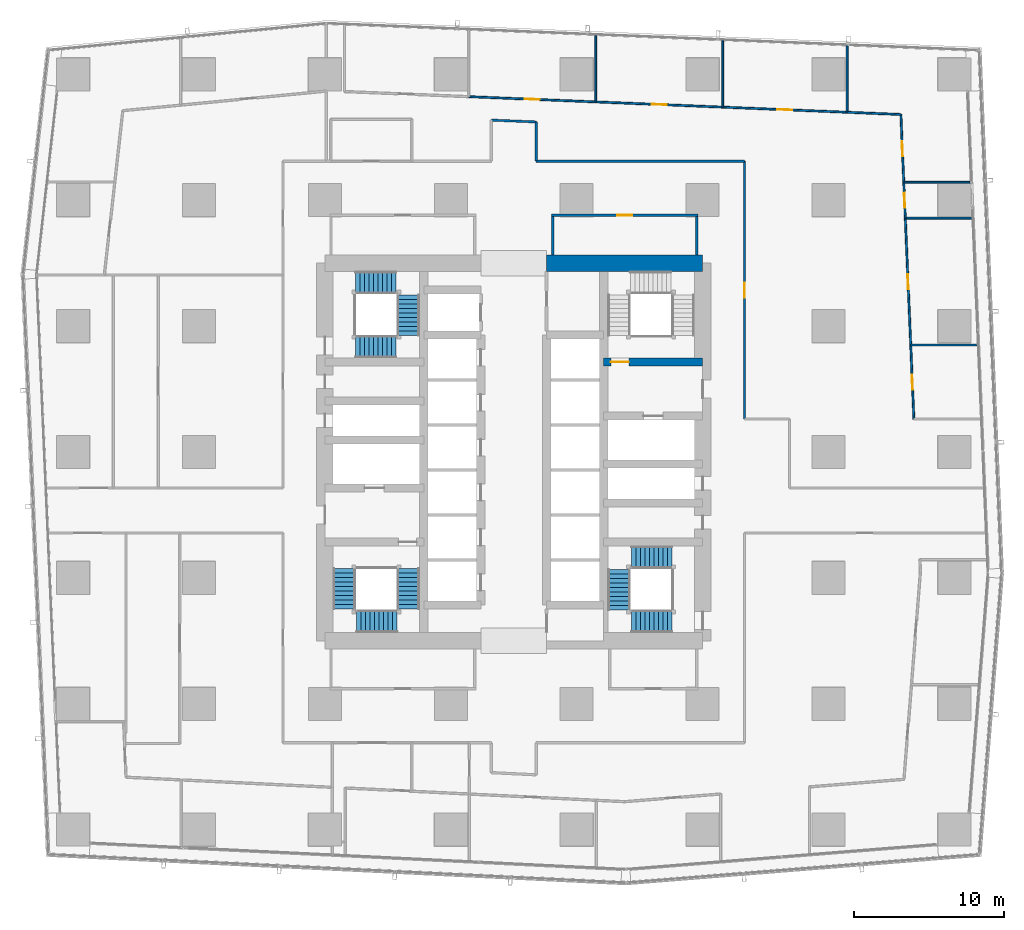
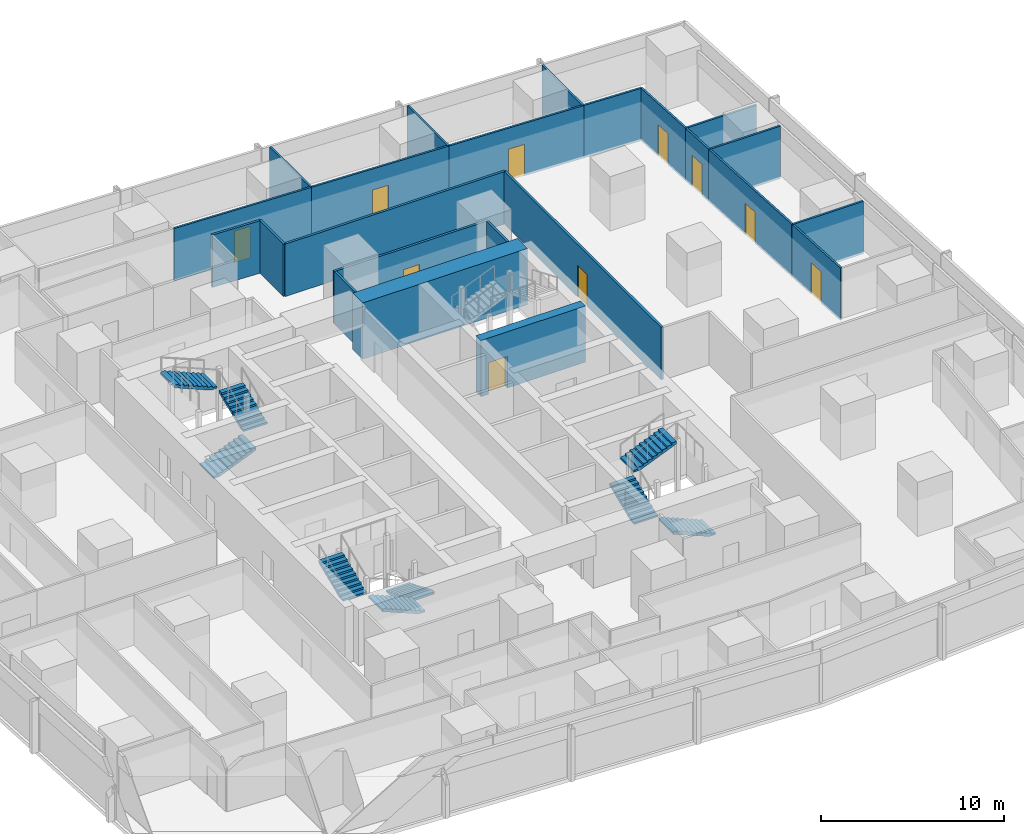
# One storey, part 35 of 45: 23 walls, 10 doors, 9 stair flights, 10 openings, 3 elements without a shape of their own.
"""IFC4 building model written with IfcOpenShell, lengths in metres."""

from ifc_helpers import new_model, si_unit, direction, frame, frame_2d, origin, place, context, subcontext, project, spatial, polyline, rectangle, outline, extrude, material, layer, layer_set, type_object, element, fill, aggregate, save


model = new_model("IFC4")

# Units and contexts
model_context = context("Model", 3, precision=1e-05, world=origin(), true_north=direction((0.0, 1.0)))
body_context = subcontext(model_context, "Body", "Model", "MODEL_VIEW")
ifc_project = project(units=[si_unit("LENGTHUNIT", "METRE"), si_unit("AREAUNIT", "SQUARE_METRE"), si_unit("VOLUMEUNIT", "CUBIC_METRE"), si_unit("PLANEANGLEUNIT", "RADIAN"), si_unit("MASSUNIT", "GRAM", prefix="KILO")], contexts=[model_context])

# Site, building, storey
site_placement = place(None, origin())
site = spatial("IfcSite", under=ifc_project, at=site_placement, CompositionType="ELEMENT")
building_placement = place(site_placement, origin())
building = spatial("IfcBuilding", under=site, at=building_placement, Name="Rekha Terrace Tower", CompositionType="ELEMENT")
storey_placement = place(building_placement, frame((0.0, 0.0, 32.89990234375)))
storey = spatial("IfcBuildingStorey", under=building, at=storey_placement, Name="L07", CompositionType="ELEMENT", Elevation=32.89990234375)

# Wall, opening, door
ifc_material_1 = material(Name="Concrete M70", Category="concrete")
ifc_layer_1 = layer(ifc_material_1, 0.550048828125)
ifc_layer_set_1 = layer_set([ifc_layer_1], Name="Concrete M70")
wall_type_1 = type_object("IfcWallType", Name="CI1 550 core internal shear wall", PredefinedType="SHEAR", material=ifc_layer_set_1)
wall_1_placement = place(storey_placement, frame((43.800048828125, 39.60009765625, 0.0), z_axis=(0.0, 0.0, 1.0), x_axis=(1.0, 0.0, 0.0)))
wall_1 = element("IfcWall", 1, at=wall_1_placement, inside=storey, type_object=wall_type_1, Name="Core wall Y396E L07", PredefinedType="SHEAR", context=body_context, shape_type="SweptSolid", body=[
    extrude(rectangle(XDim=6.599853515625, YDim=0.550048828125, at=frame_2d((3.2998046875, 0.0))), origin(), (0.0, 0.0, 1.0), 3.75),
])
opening_1_placement = place(wall_1_placement, frame((0.47509765625, 0.0, 0.0)))
opening_1 = element("IfcOpeningElement", 2, at=opening_1_placement, cuts=wall_1, Name="Opening D1", PredefinedType="OPENING", context=body_context, shape_type="SweptSolid", body=[
    extrude(rectangle(XDim=1.199951171875, YDim=2.10009765625, at=frame_2d((0.60009765625, 1.050048828125))), frame((0.0, 0.284912109375, 0.0), z_axis=(0.0, -1.0, 0.0), x_axis=(1.0, 0.0, 0.0)), (0.0, 0.0, 1.0), 0.570068359375),
])
ifc_material_2 = material(Name="Steel fire door", Category="steel")
door_type_1 = type_object("IfcDoorType", Name="D1 1200x2100 stair fire door", OperationType="SINGLE_SWING_RIGHT", PredefinedType="DOOR", material=ifc_material_2)
door_1_placement = place(opening_1_placement, origin())
door_1 = element("IfcDoor", 3, at=door_1_placement, inside=storey, type_object=door_type_1, Name="Stair ST2 door L07", OperationType="SINGLE_SWING_RIGHT", OverallHeight=2.10009765625, OverallWidth=1.199951171875, PredefinedType="DOOR", context=body_context, shape_type="SweptSolid", body=[
    extrude(rectangle(XDim=1.199951171875, YDim=2.10009765625, at=frame_2d((0.60009765625, 1.050048828125))), frame((0.0, 0.02490234375, 0.0), z_axis=(0.0, -1.0, 0.0), x_axis=(1.0, 0.0, 0.0)), (0.0, 0.0, 1.0), 0.050048828125),
])
fill(opening_1, door_1)

# Wall
ifc_layer_2 = layer(ifc_material_1, 1.10009765625)
ifc_layer_set_2 = layer_set([ifc_layer_2], Name="Concrete M70")
wall_type_2 = type_object("IfcWallType", Name="SW1 1100 core outer shear wall", PredefinedType="SHEAR", material=ifc_layer_set_2)
wall_2_placement = place(storey_placement, frame((40.0, 46.199951171875, 0.0), z_axis=(0.0, 0.0, 1.0), x_axis=(1.0, 0.0, 0.0)))
element("IfcWall", 4, at=wall_2_placement, inside=storey, type_object=wall_type_2, Name="Core wall N2 L07", PredefinedType="SHEAR", context=body_context, shape_type="SweptSolid", body=[
    extrude(rectangle(XDim=10.39990234375, YDim=1.10009765625, at=frame_2d((5.199951171875, 0.0))), origin(), (0.0, 0.0, 1.0), 3.75),
])

# Wall, opening, door
ifc_material_3 = material(Name="Concrete block masonry, 1 hour", Category="masonry")
ifc_layer_3 = layer(ifc_material_3, 0.14990234375)
ifc_layer_set_3 = layer_set([ifc_layer_3], Name="Concrete block masonry, 1 hour")
wall_type_3 = type_object("IfcWallType", Name="WP2 150 tenancy partition", PredefinedType="PARTITIONING", material=ifc_layer_set_3)
wall_3_placement = place(storey_placement, frame((40.324951171875, 49.39990234375, 0.0), z_axis=(0.0, 0.0, 1.0), x_axis=(1.0, 0.0, 0.0)))
wall_3 = element("IfcWall", 5, at=wall_3_placement, inside=storey, type_object=wall_type_3, Name="Women's WC wall L07", PredefinedType="PARTITIONING", context=body_context, shape_type="SweptSolid", body=[
    extrude(rectangle(XDim=9.75, YDim=0.14990234375, at=frame_2d((4.875, 0.0))), origin(), (0.0, 0.0, 1.0), 3.5),
])
opening_2_placement = place(wall_3_placement, frame((4.375, 0.0, 0.0)))
opening_2 = element("IfcOpeningElement", 6, at=opening_2_placement, cuts=wall_3, Name="Opening D3", PredefinedType="OPENING", context=body_context, shape_type="SweptSolid", body=[
    extrude(rectangle(XDim=1.0, YDim=2.10009765625, at=frame_2d((0.5, 1.050048828125))), frame((0.0, 0.0849609375, 0.0), z_axis=(0.0, -1.0, 0.0), x_axis=(1.0, 0.0, 0.0)), (0.0, 0.0, 1.0), 0.169921875),
])
ifc_material_4 = material(Name="Laminated timber fire door", Category="wood")
door_type_2 = type_object("IfcDoorType", Name="D3 1000x2100 WC door", OperationType="SINGLE_SWING_LEFT", PredefinedType="DOOR", material=ifc_material_4)
door_2_placement = place(opening_2_placement, origin())
door_2 = element("IfcDoor", 7, at=door_2_placement, inside=storey, type_object=door_type_2, Name="Door women's wc L07", OperationType="SINGLE_SWING_LEFT", OverallHeight=2.10009765625, OverallWidth=1.0, PredefinedType="DOOR", context=body_context, shape_type="SweptSolid", body=[
    extrude(rectangle(XDim=1.0, YDim=2.10009765625, at=frame_2d((0.5, 1.050048828125))), frame((0.0, 0.02490234375, 0.0), z_axis=(0.0, -1.0, 0.0), x_axis=(1.0, 0.0, 0.0)), (0.0, 0.0, 1.0), 0.050048828125),
])
fill(opening_2, door_2)

# Walls
for number, where, z_axis, x_axis, name in (
    (8, (40.39990234375, 46.75, 0.0), (0.0, 0.0, 1.0), (0.0, 1.0, 0.0), "Women's WC wall L07"),
    (9, (50.0, 46.75, 0.0), (0.0, 0.0, 1.0), (0.0, 1.0, 0.0), "Women's WC wall L07"),
):
    element("IfcWall", number, at=place(storey_placement, frame(where, z_axis=z_axis, x_axis=x_axis)), inside=storey, type_object=wall_type_3, Name=name, PredefinedType="PARTITIONING", context=body_context, shape_type="SweptSolid", body=[
        extrude(rectangle(XDim=2.574951171875, YDim=0.14990234375, at=frame_2d((1.28759765625, 0.0))), origin(), (0.0, 0.0, 1.0), 3.5),
    ])
wall_4_placement = place(storey_placement, frame((39.300048828125, 55.618896484375, 0.0), z_axis=(0.0, 0.0, 1.0), x_axis=(-0.999146548644, 0.041305863176, 0.0)))
element("IfcWall", 10, at=wall_4_placement, inside=storey, type_object=wall_type_3, Name="Partition L07-O3", PredefinedType="PARTITIONING", context=body_context, shape_type="SweptSolid", body=[
    extrude(rectangle(XDim=3.00244140625, YDim=0.14990234375, at=frame_2d((1.501220703125, 0.0))), origin(), (0.0, 0.0, 1.0), 3.5),
])

# Wall, opening, door
wall_5_placement = place(storey_placement, frame((53.199951171875, 35.800048828125, 0.0), z_axis=(0.0, 0.0, 1.0), x_axis=(0.0, 1.0, 0.0)))
wall_5 = element("IfcWall", 11, at=wall_5_placement, inside=storey, type_object=wall_type_3, Name="Partition L07-O3", PredefinedType="PARTITIONING", context=body_context, shape_type="SweptSolid", body=[
    extrude(rectangle(XDim=17.199951171875, YDim=0.14990234375, at=frame_2d((8.60009765625, 0.0))), origin(), (0.0, 0.0, 1.0), 3.5),
])
opening_3_placement = place(wall_5_placement, frame((8.10009765625, 0.0, 0.0)))
opening_3 = element("IfcOpeningElement", 12, at=opening_3_placement, cuts=wall_5, Name="Opening D9", PredefinedType="OPENING", context=body_context, shape_type="SweptSolid", body=[
    extrude(rectangle(XDim=1.0, YDim=2.10009765625, at=frame_2d((0.5, 1.050048828125))), frame((0.0, 0.0849609375, 0.0), z_axis=(0.0, -1.0, 0.0), x_axis=(1.0, 0.0, 0.0)), (0.0, 0.0, 1.0), 0.169921875),
])
ifc_material_5 = material(Name="Timber fire door", Category="wood")
door_type_3 = type_object("IfcDoorType", Name="D9 1000x2100 office door", OperationType="SINGLE_SWING_LEFT", PredefinedType="DOOR", material=ifc_material_5)
door_3_placement = place(opening_3_placement, origin())
door_3 = element("IfcDoor", 13, at=door_3_placement, inside=storey, type_object=door_type_3, Name="Door open-plan office L07", OperationType="SINGLE_SWING_LEFT", OverallHeight=2.10009765625, OverallWidth=1.0, PredefinedType="DOOR", context=body_context, shape_type="SweptSolid", body=[
    extrude(rectangle(XDim=1.0, YDim=2.10009765625, at=frame_2d((0.5, 1.050048828125))), frame((0.0, 0.02490234375, 0.0), z_axis=(0.0, -1.0, 0.0), x_axis=(1.0, 0.0, 0.0)), (0.0, 0.0, 1.0), 0.050048828125),
])
fill(opening_3, door_3)

# Walls
wall_6_placement = place(storey_placement, frame((53.199951171875, 53.0, 0.0), z_axis=(0.0, 0.0, 1.0), x_axis=(-1.0, 0.0, 0.0)))
element("IfcWall", 14, at=wall_6_placement, inside=storey, type_object=wall_type_3, Name="Partition L07-O3", PredefinedType="PARTITIONING", context=body_context, shape_type="SweptSolid", body=[
    extrude(rectangle(XDim=13.89990234375, YDim=0.14990234375, at=frame_2d((6.949951171875, 0.0))), origin(), (0.0, 0.0, 1.0), 3.5),
])
wall_7_placement = place(storey_placement, frame((39.300048828125, 53.0, 0.0), z_axis=(0.0, 0.0, 1.0), x_axis=(0.0, 1.0, 0.0)))
element("IfcWall", 15, at=wall_7_placement, inside=storey, type_object=wall_type_3, Name="Partition L07-O3", PredefinedType="PARTITIONING", context=body_context, shape_type="SweptSolid", body=[
    extrude(rectangle(XDim=2.618896484375, YDim=0.14990234375, at=frame_2d((1.3095703125, 0.0))), origin(), (0.0, 0.0, 1.0), 3.5),
])

# Wall, opening, door
ifc_material_6 = material(Name="Two layers of fire-rated gypsum board each side on steel studs, acoustic quilt, 1 hour", Category="steel")
ifc_layer_4 = layer(ifc_material_6, 0.125)
ifc_layer_set_4 = layer_set([ifc_layer_4], Name="Two layers of fire-rated gypsum board each side on steel studs, acoustic quilt, 1 hour")
wall_type_4 = type_object("IfcWallType", Name="WP3 125 office partition", PredefinedType="PARTITIONING", material=ifc_layer_set_4)
wall_8_placement = place(storey_placement, frame((64.4951171875, 35.799072265625, 0.0), z_axis=(0.0, 0.0, 1.0), x_axis=(-0.04274455531, 0.999086033829, 0.0)))
wall_8 = element("IfcWall", 16, at=wall_8_placement, inside=storey, type_object=wall_type_4, Name="Partition L07-09", PredefinedType="PARTITIONING", context=body_context, shape_type="SweptSolid", body=[
    extrude(rectangle(XDim=4.9404296875, YDim=0.125, at=frame_2d((2.47021484375, 0.0))), origin(), (0.0, 0.0, 1.0), 3.5),
])
opening_4_placement = place(wall_8_placement, frame((1.969970703125, 0.0, 0.0)))
opening_4 = element("IfcOpeningElement", 17, at=opening_4_placement, cuts=wall_8, Name="Opening D9", PredefinedType="OPENING", context=body_context, shape_type="SweptSolid", body=[
    extrude(rectangle(XDim=1.0, YDim=2.10009765625, at=frame_2d((0.5, 1.050048828125))), frame((0.0, 0.072509765625, 0.0), z_axis=(0.0, -1.0, 0.0), x_axis=(1.0, 0.0, 0.0)), (0.0, 0.0, 1.0), 0.14501953125),
])
door_4_placement = place(opening_4_placement, origin())
door_4 = element("IfcDoor", 18, at=door_4_placement, inside=storey, type_object=door_type_3, Name="Door office L07", OperationType="SINGLE_SWING_LEFT", OverallHeight=2.10009765625, OverallWidth=1.0, PredefinedType="DOOR", context=body_context, shape_type="SweptSolid", body=[
    extrude(rectangle(XDim=1.0, YDim=2.10009765625, at=frame_2d((0.5, 1.050048828125))), frame((0.0, 0.02490234375, 0.0), z_axis=(0.0, -1.0, 0.0), x_axis=(1.0, 0.0, 0.0)), (0.0, 0.0, 1.0), 0.050048828125),
])
fill(opening_4, door_4)

# Wall
wall_9_placement = place(storey_placement, frame((64.283935546875, 40.735107421875, 0.0), z_axis=(0.0, 0.0, 1.0), x_axis=(1.0, 0.0, 0.0)))
element("IfcWall", 19, at=wall_9_placement, inside=storey, type_object=wall_type_4, Name="Partition L07-09", PredefinedType="PARTITIONING", context=body_context, shape_type="SweptSolid", body=[
    extrude(rectangle(XDim=4.424072265625, YDim=0.125, at=frame_2d((2.2119140625, 0.0))), origin(), (0.0, 0.0, 1.0), 3.5),
])

# Wall, opening, door
wall_10_placement = place(storey_placement, frame((64.283935546875, 40.736083984375, 0.0), z_axis=(0.0, 0.0, 1.0), x_axis=(-0.04269951426, 0.999087959832, 0.0)))
wall_10 = element("IfcWall", 20, at=wall_10_placement, inside=storey, type_object=wall_type_4, Name="Partition L07-10", PredefinedType="PARTITIONING", context=body_context, shape_type="SweptSolid", body=[
    extrude(rectangle(XDim=8.4736328125, YDim=0.125, at=frame_2d((4.23681640625, 0.0))), origin(), (0.0, 0.0, 1.0), 3.5),
])
opening_5_placement = place(wall_10_placement, frame((3.737060546875, 0.0, 0.0)))
opening_5 = element("IfcOpeningElement", 21, at=opening_5_placement, cuts=wall_10, Name="Opening D9", PredefinedType="OPENING", context=body_context, shape_type="SweptSolid", body=[
    extrude(rectangle(XDim=1.0, YDim=2.10009765625, at=frame_2d((0.5, 1.050048828125))), frame((0.0, 0.072509765625, 0.0), z_axis=(0.0, -1.0, 0.0), x_axis=(1.0, 0.0, 0.0)), (0.0, 0.0, 1.0), 0.14501953125),
])
door_5_placement = place(opening_5_placement, origin())
door_5 = element("IfcDoor", 22, at=door_5_placement, inside=storey, type_object=door_type_3, Name="Door office L07", OperationType="SINGLE_SWING_LEFT", OverallHeight=2.10009765625, OverallWidth=1.0, PredefinedType="DOOR", context=body_context, shape_type="SweptSolid", body=[
    extrude(rectangle(XDim=1.0, YDim=2.10009765625, at=frame_2d((0.5, 1.050048828125))), frame((0.0, 0.02490234375, 0.0), z_axis=(0.0, -1.0, 0.0), x_axis=(1.0, 0.0, 0.0)), (0.0, 0.0, 1.0), 0.050048828125),
])
fill(opening_5, door_5)

# Wall
wall_11_placement = place(storey_placement, frame((63.922119140625, 49.201904296875, 0.0), z_axis=(0.0, 0.0, 1.0), x_axis=(1.0, 0.0, 0.0)))
element("IfcWall", 23, at=wall_11_placement, inside=storey, type_object=wall_type_4, Name="Partition L07-10", PredefinedType="PARTITIONING", context=body_context, shape_type="SweptSolid", body=[
    extrude(rectangle(XDim=4.453857421875, YDim=0.125, at=frame_2d((2.22705078125, 0.0))), origin(), (0.0, 0.0, 1.0), 3.5),
])

# Wall, opening, door
wall_12_placement = place(storey_placement, frame((63.922119140625, 49.202880859375, 0.0), z_axis=(0.0, 0.0, 1.0), x_axis=(-0.042501507067, 0.999096402704, 0.0)))
wall_12 = element("IfcWall", 24, at=wall_12_placement, inside=storey, type_object=wall_type_4, Name="Partition L07-11", PredefinedType="PARTITIONING", context=body_context, shape_type="SweptSolid", body=[
    extrude(rectangle(XDim=2.355224609375, YDim=0.125, at=frame_2d((1.177734375, 0.0))), origin(), (0.0, 0.0, 1.0), 3.5),
])
opening_6_placement = place(wall_12_placement, frame((0.677978515625, 0.0, 0.0)))
opening_6 = element("IfcOpeningElement", 25, at=opening_6_placement, cuts=wall_12, Name="Opening D9", PredefinedType="OPENING", context=body_context, shape_type="SweptSolid", body=[
    extrude(rectangle(XDim=1.0, YDim=2.10009765625, at=frame_2d((0.5, 1.050048828125))), frame((0.0, 0.072509765625, 0.0), z_axis=(0.0, -1.0, 0.0), x_axis=(1.0, 0.0, 0.0)), (0.0, 0.0, 1.0), 0.14501953125),
])
door_6_placement = place(opening_6_placement, origin())
door_6 = element("IfcDoor", 26, at=door_6_placement, inside=storey, type_object=door_type_3, Name="Door office L07", OperationType="SINGLE_SWING_LEFT", OverallHeight=2.10009765625, OverallWidth=1.0, PredefinedType="DOOR", context=body_context, shape_type="SweptSolid", body=[
    extrude(rectangle(XDim=1.0, YDim=2.10009765625, at=frame_2d((0.5, 1.050048828125))), frame((0.0, 0.02490234375, 0.0), z_axis=(0.0, -1.0, 0.0), x_axis=(1.0, 0.0, 0.0)), (0.0, 0.0, 1.0), 0.050048828125),
])
fill(opening_6, door_6)

# Wall
wall_13_placement = place(storey_placement, frame((63.883056640625, 51.593017578125, 0.0), z_axis=(0.0, 0.0, 1.0), x_axis=(1.0, 0.0, 0.0)))
element("IfcWall", 27, at=wall_13_placement, inside=storey, type_object=wall_type_4, Name="Partition L07-11", PredefinedType="PARTITIONING", context=body_context, shape_type="SweptSolid", body=[
    extrude(rectangle(XDim=4.36083984375, YDim=0.125, at=frame_2d((2.180419921875, 0.0))), origin(), (0.0, 0.0, 1.0), 3.5),
])

# Wall, opening, door
wall_14_placement = place(storey_placement, frame((63.822021484375, 51.556884765625, 0.0), z_axis=(0.0, 0.0, 1.0), x_axis=(-0.042738513094, 0.999086292318, 0.0)))
wall_14 = element("IfcWall", 28, at=wall_14_placement, inside=storey, type_object=wall_type_4, Name="Partition L07-12", PredefinedType="PARTITIONING", context=body_context, shape_type="SweptSolid", body=[
    extrude(rectangle(XDim=4.564208984375, YDim=0.125, at=frame_2d((2.2822265625, 0.0))), origin(), (0.0, 0.0, 1.0), 3.5),
])
opening_7_placement = place(wall_14_placement, frame((1.781982421875, 0.0, 0.0)))
opening_7 = element("IfcOpeningElement", 29, at=opening_7_placement, cuts=wall_14, Name="Opening D9", PredefinedType="OPENING", context=body_context, shape_type="SweptSolid", body=[
    extrude(rectangle(XDim=1.0, YDim=2.10009765625, at=frame_2d((0.5, 1.050048828125))), frame((0.0, 0.072509765625, 0.0), z_axis=(0.0, -1.0, 0.0), x_axis=(1.0, 0.0, 0.0)), (0.0, 0.0, 1.0), 0.14501953125),
])
door_7_placement = place(opening_7_placement, origin())
door_7 = element("IfcDoor", 30, at=door_7_placement, inside=storey, type_object=door_type_3, Name="Door manager's office L07", OperationType="SINGLE_SWING_LEFT", OverallHeight=2.10009765625, OverallWidth=1.0, PredefinedType="DOOR", context=body_context, shape_type="SweptSolid", body=[
    extrude(rectangle(XDim=1.0, YDim=2.10009765625, at=frame_2d((0.5, 1.050048828125))), frame((0.0, 0.02490234375, 0.0), z_axis=(0.0, -1.0, 0.0), x_axis=(1.0, 0.0, 0.0)), (0.0, 0.0, 1.0), 0.050048828125),
])
fill(opening_7, door_7)

# Walls
wall_15_placement = place(storey_placement, frame((63.626953125, 56.116943359375, 0.0), z_axis=(0.0, 0.0, 1.0), x_axis=(-0.999150890799, 0.041200696776, 0.0)))
element("IfcWall", 31, at=wall_15_placement, inside=storey, type_object=wall_type_4, Name="Partition L07-12", PredefinedType="PARTITIONING", context=body_context, shape_type="SweptSolid", body=[
    extrude(rectangle(XDim=3.5908203125, YDim=0.125, at=frame_2d((1.79541015625, 0.0))), origin(), (0.0, 0.0, 1.0), 3.5),
])
wall_16_placement = place(storey_placement, frame((60.0390625, 56.264892578125, 0.0), z_axis=(0.0, 0.0, 1.0), x_axis=(0.0, 1.0, 0.0)))
element("IfcWall", 32, at=wall_16_placement, inside=storey, type_object=wall_type_4, Name="Partition L07-12", PredefinedType="PARTITIONING", context=body_context, shape_type="SweptSolid", body=[
    extrude(rectangle(XDim=4.424072265625, YDim=0.125, at=frame_2d((2.2119140625, 0.0))), origin(), (0.0, 0.0, 1.0), 3.5),
])

# Wall, opening, door
wall_17_placement = place(storey_placement, frame((60.0380859375, 56.264892578125, 0.0), z_axis=(0.0, 0.0, 1.0), x_axis=(-0.999150321127, 0.041214509478, 0.0)))
wall_17 = element("IfcWall", 33, at=wall_17_placement, inside=storey, type_object=wall_type_4, Name="Partition L07-13", PredefinedType="PARTITIONING", context=body_context, shape_type="SweptSolid", body=[
    extrude(rectangle(XDim=8.299072265625, YDim=0.125, at=frame_2d((4.1494140625, 0.0))), origin(), (0.0, 0.0, 1.0), 3.5),
])
opening_8_placement = place(wall_17_placement, frame((3.64990234375, 0.0, 0.0)))
opening_8 = element("IfcOpeningElement", 34, at=opening_8_placement, cuts=wall_17, Name="Opening D9", PredefinedType="OPENING", context=body_context, shape_type="SweptSolid", body=[
    extrude(rectangle(XDim=1.0, YDim=2.10009765625, at=frame_2d((0.5, 1.050048828125))), frame((0.0, 0.072509765625, 0.0), z_axis=(0.0, -1.0, 0.0), x_axis=(1.0, 0.0, 0.0)), (0.0, 0.0, 1.0), 0.14501953125),
])
door_8_placement = place(opening_8_placement, origin())
door_8 = element("IfcDoor", 35, at=door_8_placement, inside=storey, type_object=door_type_3, Name="Door office L07", OperationType="SINGLE_SWING_LEFT", OverallHeight=2.10009765625, OverallWidth=1.0, PredefinedType="DOOR", context=body_context, shape_type="SweptSolid", body=[
    extrude(rectangle(XDim=1.0, YDim=2.10009765625, at=frame_2d((0.5, 1.050048828125))), frame((0.0, 0.02490234375, 0.0), z_axis=(0.0, -1.0, 0.0), x_axis=(1.0, 0.0, 0.0)), (0.0, 0.0, 1.0), 0.050048828125),
])
fill(opening_8, door_8)

# Wall
wall_18_placement = place(storey_placement, frame((51.74609375, 56.60693359375, 0.0), z_axis=(0.0, 0.0, 1.0), x_axis=(0.0, 1.0, 0.0)))
element("IfcWall", 36, at=wall_18_placement, inside=storey, type_object=wall_type_4, Name="Partition L07-13", PredefinedType="PARTITIONING", context=body_context, shape_type="SweptSolid", body=[
    extrude(rectangle(XDim=4.424072265625, YDim=0.125, at=frame_2d((2.2119140625, 0.0))), origin(), (0.0, 0.0, 1.0), 3.5),
])

# Wall, opening, door
wall_19_placement = place(storey_placement, frame((51.7451171875, 56.60693359375, 0.0), z_axis=(0.0, 0.0, 1.0), x_axis=(-0.999152030187, 0.041173056399, 0.0)))
wall_19 = element("IfcWall", 37, at=wall_19_placement, inside=storey, type_object=wall_type_4, Name="Partition L07-14", PredefinedType="PARTITIONING", context=body_context, shape_type="SweptSolid", body=[
    extrude(rectangle(XDim=8.479248046875, YDim=0.125, at=frame_2d((4.23974609375, 0.0))), origin(), (0.0, 0.0, 1.0), 3.5),
])
opening_9_placement = place(wall_19_placement, frame((3.739990234375, 0.0, 0.0)))
opening_9 = element("IfcOpeningElement", 38, at=opening_9_placement, cuts=wall_19, Name="Opening D9", PredefinedType="OPENING", context=body_context, shape_type="SweptSolid", body=[
    extrude(rectangle(XDim=1.0, YDim=2.10009765625, at=frame_2d((0.5, 1.050048828125))), frame((0.0, 0.072509765625, 0.0), z_axis=(0.0, -1.0, 0.0), x_axis=(1.0, 0.0, 0.0)), (0.0, 0.0, 1.0), 0.14501953125),
])
door_9_placement = place(opening_9_placement, origin())
door_9 = element("IfcDoor", 39, at=door_9_placement, inside=storey, type_object=door_type_3, Name="Door office L07", OperationType="SINGLE_SWING_LEFT", OverallHeight=2.10009765625, OverallWidth=1.0, PredefinedType="DOOR", context=body_context, shape_type="SweptSolid", body=[
    extrude(rectangle(XDim=1.0, YDim=2.10009765625, at=frame_2d((0.5, 1.050048828125))), frame((0.0, 0.02490234375, 0.0), z_axis=(0.0, -1.0, 0.0), x_axis=(1.0, 0.0, 0.0)), (0.0, 0.0, 1.0), 0.050048828125),
])
fill(opening_9, door_9)

# Wall
wall_20_placement = place(storey_placement, frame((43.27294921875, 56.9560546875, 0.0), z_axis=(0.0, 0.0, 1.0), x_axis=(0.0, 1.0, 0.0)))
element("IfcWall", 40, at=wall_20_placement, inside=storey, type_object=wall_type_4, Name="Partition L07-14", PredefinedType="PARTITIONING", context=body_context, shape_type="SweptSolid", body=[
    extrude(rectangle(XDim=4.423828125, YDim=0.125, at=frame_2d((2.2119140625, 0.0))), origin(), (0.0, 0.0, 1.0), 3.5),
])

# Wall, opening, door
wall_21_placement = place(storey_placement, frame((43.27197265625, 56.9560546875, 0.0), z_axis=(0.0, 0.0, 1.0), x_axis=(-0.999148227965, 0.041265222085, 0.0)))
wall_21 = element("IfcWall", 41, at=wall_21_placement, inside=storey, type_object=wall_type_4, Name="Partition L07-15", PredefinedType="PARTITIONING", context=body_context, shape_type="SweptSolid", body=[
    extrude(rectangle(XDim=8.478271484375, YDim=0.125, at=frame_2d((4.2392578125, 0.0))), origin(), (0.0, 0.0, 1.0), 3.5),
])
opening_10_placement = place(wall_21_placement, frame((3.739013671875, 0.0, 0.0)))
opening_10 = element("IfcOpeningElement", 42, at=opening_10_placement, cuts=wall_21, Name="Opening D9", PredefinedType="OPENING", context=body_context, shape_type="SweptSolid", body=[
    extrude(rectangle(XDim=1.0, YDim=2.10009765625, at=frame_2d((0.5, 1.050048828125))), frame((0.0, 0.072509765625, 0.0), z_axis=(0.0, -1.0, 0.0), x_axis=(1.0, 0.0, 0.0)), (0.0, 0.0, 1.0), 0.14501953125),
])
door_10_placement = place(opening_10_placement, origin())
door_10 = element("IfcDoor", 43, at=door_10_placement, inside=storey, type_object=door_type_3, Name="Door office L07", OperationType="SINGLE_SWING_LEFT", OverallHeight=2.10009765625, OverallWidth=1.0, PredefinedType="DOOR", context=body_context, shape_type="SweptSolid", body=[
    extrude(rectangle(XDim=1.0, YDim=2.10009765625, at=frame_2d((0.5, 1.050048828125))), frame((0.0, 0.02490234375, 0.0), z_axis=(0.0, -1.0, 0.0), x_axis=(1.0, 0.0, 0.0)), (0.0, 0.0, 1.0), 0.050048828125),
])
fill(opening_10, door_10)

# Stair, stair flights
ifc_material_7 = material(Name="Concrete M40", Category="concrete")
stair_type = type_object("IfcStairType", Name="ST30 stair, 30 risers of 125, going 300, 1500 wide flights, 3 flights", PredefinedType="HALF_TURN_STAIR", material=ifc_material_7)
stair_1_placement = place(storey_placement, origin())
stair_1 = element("IfcStair", 44, at=stair_1_placement, inside=storey, type_object=stair_type, Name="Stair ST1 L07 to L08", PredefinedType="HALF_TURN_STAIR")
stair_flight_type = type_object("IfcStairFlightType", Name="SF10 stair flight, 10 risers of 125, going 300, 1500 wide", PredefinedType="STRAIGHT", material=ifc_material_7)
stair_flight_1_placement = place(storey_placement, frame((30.77490234375, 25.824951171875, 0.0), z_axis=(0.0, 0.0, 1.0), x_axis=(0.0, -1.0, 0.0)))
stair_flight_1 = element("IfcStairFlight", 45, at=stair_flight_1_placement, type_object=stair_flight_type, Name="ST1 flight 1", NumberOfRisers=10, NumberOfTreads=9, PredefinedType="STRAIGHT", RiserHeight=0.125, TreadLength=0.3, context=body_context, shape_type="SweptSolid", body=[
    extrude(outline(polyline([(0.0, 0.0), (0.0, 0.125), (0.300048828125, 0.125), (0.300048828125, 0.25), (0.60009765625, 0.25), (0.60009765625, 0.375), (0.89990234375, 0.375), (0.89990234375, 0.5), (1.199951171875, 0.5), (1.199951171875, 0.625), (1.5, 0.625), (1.5, 0.75), (1.800048828125, 0.75), (1.800048828125, 0.875), (2.10009765625, 0.875), (2.10009765625, 1.0), (2.39990234375, 1.0), (2.39990234375, 1.125), (2.699951171875, 1.125), (2.699951171875, 1.25), (2.699951171875, 0.962646484375), (0.3896484375, 0.0), (0.0, 0.0)])), frame((0.0, 0.75, 0.0), z_axis=(0.0, -1.0, 0.0), x_axis=(1.0, 0.0, 0.0)), (0.0, 0.0, 1.0), 1.5),
])
stair_flight_2_placement = place(storey_placement, frame((30.02490234375, 22.300048828125, 1.25), z_axis=(0.0, 0.0, 1.0), x_axis=(-1.0, 0.0, 0.0)))
stair_flight_2 = element("IfcStairFlight", 46, at=stair_flight_2_placement, type_object=stair_flight_type, Name="ST1 flight 2", NumberOfRisers=10, NumberOfTreads=9, PredefinedType="STRAIGHT", RiserHeight=0.125, TreadLength=0.3, context=body_context, shape_type="SweptSolid", body=[
    extrude(outline(polyline([(0.0, 0.0), (0.0, 0.125), (0.300048828125, 0.125), (0.300048828125, 0.25), (0.60009765625, 0.25), (0.60009765625, 0.375), (0.89990234375, 0.375), (0.89990234375, 0.5), (1.199951171875, 0.5), (1.199951171875, 0.625), (1.5, 0.625), (1.5, 0.75), (1.800048828125, 0.75), (1.800048828125, 0.875), (2.10009765625, 0.875), (2.10009765625, 1.0), (2.39990234375, 1.0), (2.39990234375, 1.125), (2.699951171875, 1.125), (2.699951171875, 1.25), (2.699951171875, 0.962646484375), (0.3896484375, 0.0), (0.0, 0.0)])), frame((0.0, 0.75, 0.0), z_axis=(0.0, -1.0, 0.0), x_axis=(1.0, 0.0, 0.0)), (0.0, 0.0, 1.0), 1.5),
])
stair_flight_3_placement = place(storey_placement, frame((26.5, 23.125, 2.5), z_axis=(0.0, 0.0, 1.0), x_axis=(0.0, 1.0, 0.0)))
stair_flight_3 = element("IfcStairFlight", 47, at=stair_flight_3_placement, type_object=stair_flight_type, Name="ST1 flight 3", NumberOfRisers=10, NumberOfTreads=9, PredefinedType="STRAIGHT", RiserHeight=0.125, TreadLength=0.3, context=body_context, shape_type="SweptSolid", body=[
    extrude(outline(polyline([(0.0, 0.0), (0.0, 0.125), (0.300048828125, 0.125), (0.300048828125, 0.25), (0.60009765625, 0.25), (0.60009765625, 0.375), (0.89990234375, 0.375), (0.89990234375, 0.5), (1.199951171875, 0.5), (1.199951171875, 0.625), (1.5, 0.625), (1.5, 0.75), (1.800048828125, 0.75), (1.800048828125, 0.875), (2.10009765625, 0.875), (2.10009765625, 1.0), (2.39990234375, 1.0), (2.39990234375, 1.125), (2.699951171875, 1.125), (2.699951171875, 1.25), (2.699951171875, 0.962646484375), (0.3896484375, 0.0), (0.0, 0.0)])), frame((0.0, 0.75, 0.0), z_axis=(0.0, -1.0, 0.0), x_axis=(1.0, 0.0, 0.0)), (0.0, 0.0, 1.0), 1.5),
])
aggregate(stair_1, [stair_flight_1, stair_flight_2, stair_flight_3])

stair_2_placement = place(storey_placement, origin())
stair_2 = element("IfcStair", 48, at=stair_2_placement, inside=storey, type_object=stair_type, Name="Stair ST3 L07 to L08", PredefinedType="HALF_TURN_STAIR")
stair_flight_4_placement = place(storey_placement, frame((48.35009765625, 22.300048828125, 0.0), z_axis=(0.0, 0.0, 1.0), x_axis=(-1.0, 0.0, 0.0)))
stair_flight_4 = element("IfcStairFlight", 49, at=stair_flight_4_placement, type_object=stair_flight_type, Name="ST3 flight 1", NumberOfRisers=10, NumberOfTreads=9, PredefinedType="STRAIGHT", RiserHeight=0.125, TreadLength=0.3, context=body_context, shape_type="SweptSolid", body=[
    extrude(outline(polyline([(0.0, 0.0), (0.0, 0.125), (0.300048828125, 0.125), (0.300048828125, 0.25), (0.60009765625, 0.25), (0.60009765625, 0.375), (0.89990234375, 0.375), (0.89990234375, 0.5), (1.199951171875, 0.5), (1.199951171875, 0.625), (1.5, 0.625), (1.5, 0.75), (1.800048828125, 0.75), (1.800048828125, 0.875), (2.10009765625, 0.875), (2.10009765625, 1.0), (2.39990234375, 1.0), (2.39990234375, 1.125), (2.699951171875, 1.125), (2.699951171875, 1.25), (2.699951171875, 0.962646484375), (0.3896484375, 0.0), (0.0, 0.0)])), frame((0.0, 0.75, 0.0), z_axis=(0.0, -1.0, 0.0), x_axis=(1.0, 0.0, 0.0)), (0.0, 0.0, 1.0), 1.5),
])
stair_flight_5_placement = place(storey_placement, frame((44.824951171875, 23.050048828125, 1.25), z_axis=(0.0, 0.0, 1.0), x_axis=(0.0, 1.0, 0.0)))
stair_flight_5 = element("IfcStairFlight", 50, at=stair_flight_5_placement, type_object=stair_flight_type, Name="ST3 flight 2", NumberOfRisers=10, NumberOfTreads=9, PredefinedType="STRAIGHT", RiserHeight=0.125, TreadLength=0.3, context=body_context, shape_type="SweptSolid", body=[
    extrude(outline(polyline([(0.0, 0.0), (0.0, 0.125), (0.300048828125, 0.125), (0.300048828125, 0.25), (0.60009765625, 0.25), (0.60009765625, 0.375), (0.89990234375, 0.375), (0.89990234375, 0.5), (1.199951171875, 0.5), (1.199951171875, 0.625), (1.5, 0.625), (1.5, 0.75), (1.800048828125, 0.75), (1.800048828125, 0.875), (2.10009765625, 0.875), (2.10009765625, 1.0), (2.39990234375, 1.0), (2.39990234375, 1.125), (2.699951171875, 1.125), (2.699951171875, 1.25), (2.699951171875, 0.962646484375), (0.3896484375, 0.0), (0.0, 0.0)])), frame((0.0, 0.75, 0.0), z_axis=(0.0, -1.0, 0.0), x_axis=(1.0, 0.0, 0.0)), (0.0, 0.0, 1.0), 1.5),
])
stair_flight_6_placement = place(storey_placement, frame((45.64990234375, 26.574951171875, 2.5), z_axis=(0.0, 0.0, 1.0), x_axis=(1.0, 0.0, 0.0)))
stair_flight_6 = element("IfcStairFlight", 51, at=stair_flight_6_placement, type_object=stair_flight_type, Name="ST3 flight 3", NumberOfRisers=10, NumberOfTreads=9, PredefinedType="STRAIGHT", RiserHeight=0.125, TreadLength=0.3, context=body_context, shape_type="SweptSolid", body=[
    extrude(outline(polyline([(0.0, 0.0), (0.0, 0.125), (0.300048828125, 0.125), (0.300048828125, 0.25), (0.60009765625, 0.25), (0.60009765625, 0.375), (0.89990234375, 0.375), (0.89990234375, 0.5), (1.199951171875, 0.5), (1.199951171875, 0.625), (1.5, 0.625), (1.5, 0.75), (1.800048828125, 0.75), (1.800048828125, 0.875), (2.10009765625, 0.875), (2.10009765625, 1.0), (2.39990234375, 1.0), (2.39990234375, 1.125), (2.699951171875, 1.125), (2.699951171875, 1.25), (2.699951171875, 0.962646484375), (0.3896484375, 0.0), (0.0, 0.0)])), frame((0.0, 0.75, 0.0), z_axis=(0.0, -1.0, 0.0), x_axis=(1.0, 0.0, 0.0)), (0.0, 0.0, 1.0), 1.5),
])
aggregate(stair_2, [stair_flight_4, stair_flight_5, stair_flight_6])

stair_3_placement = place(storey_placement, origin())
stair_3 = element("IfcStair", 52, at=stair_3_placement, inside=storey, type_object=stair_type, Name="Stair ST4 L07 to L08", PredefinedType="HALF_TURN_STAIR")
stair_flight_7_placement = place(storey_placement, frame((27.25, 40.625, 0.0), z_axis=(0.0, 0.0, 1.0), x_axis=(1.0, 0.0, 0.0)))
stair_flight_7 = element("IfcStairFlight", 53, at=stair_flight_7_placement, type_object=stair_flight_type, Name="ST4 flight 1", NumberOfRisers=10, NumberOfTreads=9, PredefinedType="STRAIGHT", RiserHeight=0.125, TreadLength=0.3, context=body_context, shape_type="SweptSolid", body=[
    extrude(outline(polyline([(0.0, 0.0), (0.0, 0.125), (0.300048828125, 0.125), (0.300048828125, 0.25), (0.60009765625, 0.25), (0.60009765625, 0.375), (0.89990234375, 0.375), (0.89990234375, 0.5), (1.199951171875, 0.5), (1.199951171875, 0.625), (1.5, 0.625), (1.5, 0.75), (1.800048828125, 0.75), (1.800048828125, 0.875), (2.10009765625, 0.875), (2.10009765625, 1.0), (2.39990234375, 1.0), (2.39990234375, 1.125), (2.699951171875, 1.125), (2.699951171875, 1.25), (2.699951171875, 0.962646484375), (0.3896484375, 0.0), (0.0, 0.0)])), frame((0.0, 0.75, 0.0), z_axis=(0.0, -1.0, 0.0), x_axis=(1.0, 0.0, 0.0)), (0.0, 0.0, 1.0), 1.5),
])
stair_flight_8_placement = place(storey_placement, frame((30.77490234375, 41.375, 1.25), z_axis=(0.0, 0.0, 1.0), x_axis=(0.0, 1.0, 0.0)))
stair_flight_8 = element("IfcStairFlight", 54, at=stair_flight_8_placement, type_object=stair_flight_type, Name="ST4 flight 2", NumberOfRisers=10, NumberOfTreads=9, PredefinedType="STRAIGHT", RiserHeight=0.125, TreadLength=0.3, context=body_context, shape_type="SweptSolid", body=[
    extrude(outline(polyline([(0.0, 0.0), (0.0, 0.125), (0.300048828125, 0.125), (0.300048828125, 0.25), (0.60009765625, 0.25), (0.60009765625, 0.375), (0.89990234375, 0.375), (0.89990234375, 0.5), (1.199951171875, 0.5), (1.199951171875, 0.625), (1.5, 0.625), (1.5, 0.75), (1.800048828125, 0.75), (1.800048828125, 0.875), (2.10009765625, 0.875), (2.10009765625, 1.0), (2.39990234375, 1.0), (2.39990234375, 1.125), (2.699951171875, 1.125), (2.699951171875, 1.25), (2.699951171875, 0.962646484375), (0.3896484375, 0.0), (0.0, 0.0)])), frame((0.0, 0.75, 0.0), z_axis=(0.0, -1.0, 0.0), x_axis=(1.0, 0.0, 0.0)), (0.0, 0.0, 1.0), 1.5),
])
stair_flight_9_placement = place(storey_placement, frame((29.949951171875, 44.89990234375, 2.5), z_axis=(0.0, 0.0, 1.0), x_axis=(-1.0, 0.0, 0.0)))
stair_flight_9 = element("IfcStairFlight", 55, at=stair_flight_9_placement, type_object=stair_flight_type, Name="ST4 flight 3", NumberOfRisers=10, NumberOfTreads=9, PredefinedType="STRAIGHT", RiserHeight=0.125, TreadLength=0.3, context=body_context, shape_type="SweptSolid", body=[
    extrude(outline(polyline([(0.0, 0.0), (0.0, 0.125), (0.300048828125, 0.125), (0.300048828125, 0.25), (0.60009765625, 0.25), (0.60009765625, 0.375), (0.89990234375, 0.375), (0.89990234375, 0.5), (1.199951171875, 0.5), (1.199951171875, 0.625), (1.5, 0.625), (1.5, 0.75), (1.800048828125, 0.75), (1.800048828125, 0.875), (2.10009765625, 0.875), (2.10009765625, 1.0), (2.39990234375, 1.0), (2.39990234375, 1.125), (2.699951171875, 1.125), (2.699951171875, 1.25), (2.699951171875, 0.962646484375), (0.3896484375, 0.0), (0.0, 0.0)])), frame((0.0, 0.75, 0.0), z_axis=(0.0, -1.0, 0.0), x_axis=(1.0, 0.0, 0.0)), (0.0, 0.0, 1.0), 1.5),
])
aggregate(stair_3, [stair_flight_7, stair_flight_8, stair_flight_9])

save(model, "model.ifc")
